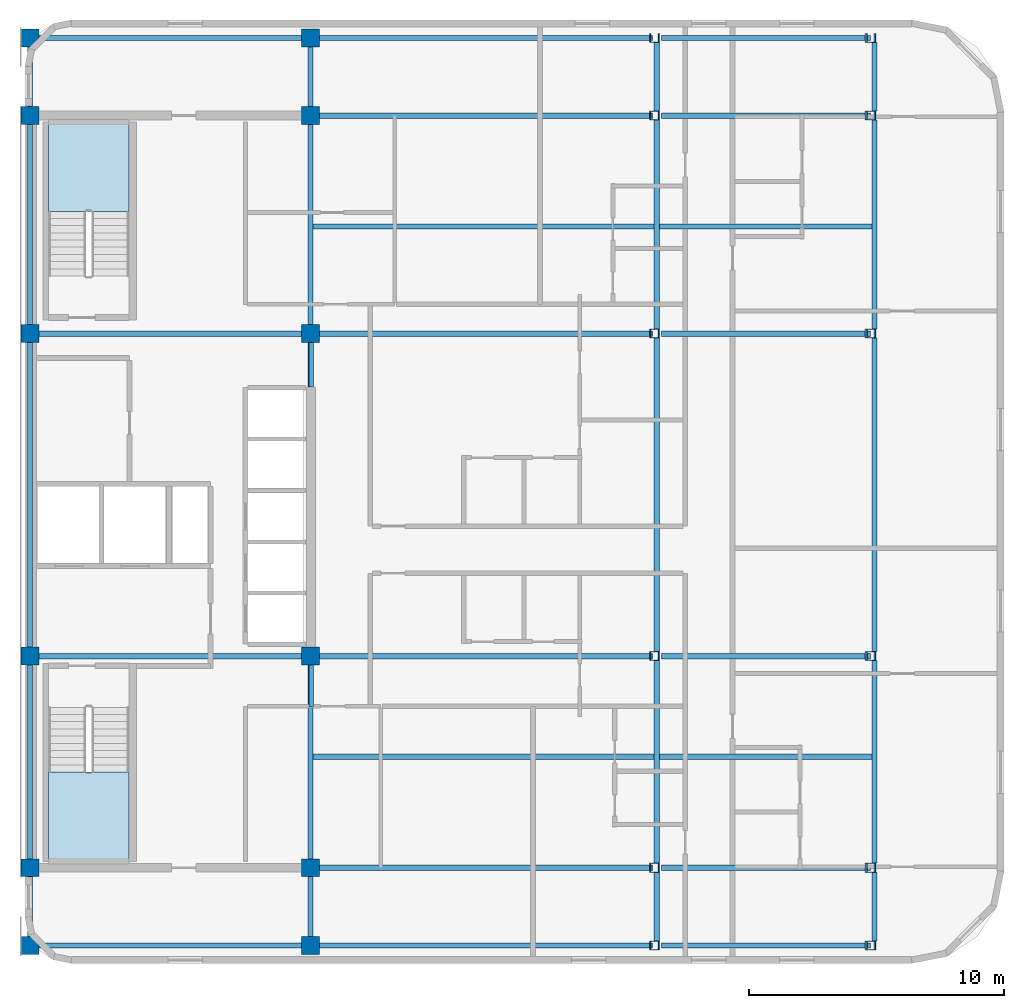
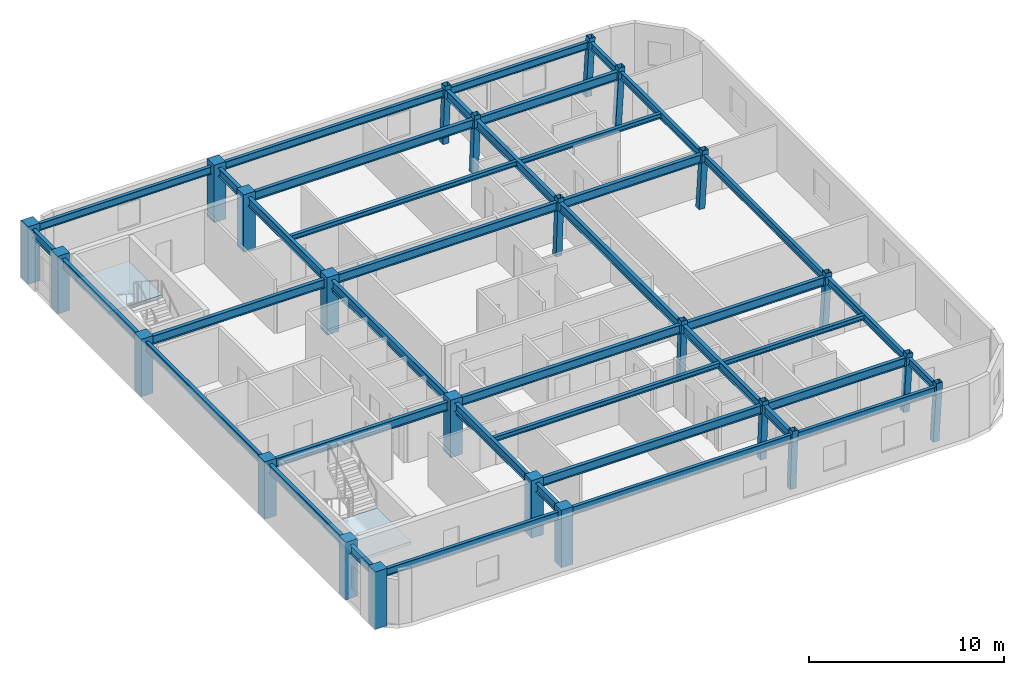
# One storey, part 1 of 6: 42 beams, 24 columns, 2 slabs, 2 elements without a shape of their own.
"""IFC4 building model written with IfcOpenShell, lengths in metres."""

from ifc_helpers import new_model, si_unit, direction, frame, origin, origin_2d, place, context, subcontext, project, spatial, polyline, rectangle, hollow_rectangle, i_section, outline, extrude, material, layer, layer_set, material_profile, profile_set, type_object, element, aggregate, save


model = new_model("IFC4")

# Units and contexts
model_context = context("Model", 3, precision=1e-05, world=origin(), true_north=direction((0.0, 1.0)))
body_context = subcontext(model_context, "Body", "Model", "MODEL_VIEW")
ifc_project = project(units=[si_unit("LENGTHUNIT", "METRE"), si_unit("AREAUNIT", "SQUARE_METRE"), si_unit("VOLUMEUNIT", "CUBIC_METRE"), si_unit("PLANEANGLEUNIT", "RADIAN"), si_unit("MASSUNIT", "GRAM", prefix="KILO")], contexts=[model_context])

# Site, building, storey
site_placement = place(None, origin())
site = spatial("IfcSite", under=ifc_project, at=site_placement, CompositionType="ELEMENT")
building_placement = place(site_placement, origin())
building = spatial("IfcBuilding", under=site, at=building_placement, Name="Ochreholt Gables", CompositionType="ELEMENT")
storey_placement = place(building_placement, frame((0.0, 0.0, 249.60009765625)))
storey = spatial("IfcBuildingStorey", under=building, at=storey_placement, Name="L65", CompositionType="ELEMENT", Elevation=249.60009765625)

# Columns
ifc_material_1 = material(Name="Steel CSA G40.21 350W", Category="steel")
ifc_material_profile_1 = material_profile(ifc_material_1, hollow_rectangle(XDim=0.35595703125, YDim=0.35595703125, WallThickness=0.01611328125, at=origin_2d()), Name="HSS356X356X16")
ifc_profile_set_1 = profile_set([ifc_material_profile_1], Name="Steel CSA G40.21 350W")
column_type_1 = type_object("IfcColumnType", Name="COL-HSS356-RAK", PredefinedType="COLUMN", material=ifc_profile_set_1)
for number, where, z_axis, x_axis, name in (
    (1, (48.672119140625, 9.25, 0.0), (0.034973505036, 0.0, 0.999388239847), (0.0, 1.0, 0.0), "L65 Column EMY2"),
    (2, (48.672119140625, 17.550048828125, 0.0), (0.034973505036, 0.0, 0.999388239847), (0.0, 1.0, 0.0), "L65 Column EMY3"),
    (3, (48.672119140625, 30.199951171875, 0.0), (0.034973505036, 0.0, 0.999388239847), (0.0, 1.0, 0.0), "L65 Column EMY4"),
    (4, (48.672119140625, 38.75, 0.0), (0.034973505036, 0.0, 0.999388239847), (0.0, 1.0, 0.0), "L65 Column EMY5"),
):
    element("IfcColumn", number, at=place(storey_placement, frame(where, z_axis=z_axis, x_axis=x_axis)), inside=storey, type_object=column_type_1, Name=name, PredefinedType="COLUMN", context=body_context, shape_type="SweptSolid", body=[
        extrude(hollow_rectangle(XDim=0.35595703125, YDim=0.35595703125, WallThickness=0.01611328125, at=origin_2d()), origin(), (0.0, 0.0, 1.0), 3.60205078125),
    ])
ifc_material_profile_2 = material_profile(ifc_material_1, hollow_rectangle(XDim=0.35595703125, YDim=0.35595703125, WallThickness=0.01611328125, at=origin_2d()), Name="HSS356X356X16")
ifc_profile_set_2 = profile_set([ifc_material_profile_2], Name="Steel CSA G40.21 350W")
column_type_2 = type_object("IfcColumnType", Name="COL-HSS356-RAKE", PredefinedType="COLUMN", material=ifc_profile_set_2)
for number, where, z_axis, x_axis, name in (
    (5, (48.672119140625, 6.199951171875, 0.0), (0.034973505036, 0.0, 0.999388239847), (0.0, 1.0, 0.0), "L65 Column EMY1"),
    (6, (48.672119140625, 41.800048828125, 0.0), (0.034973505036, 0.0, 0.999388239847), (0.0, 1.0, 0.0), "L65 Column EMY6"),
):
    element("IfcColumn", number, at=place(storey_placement, frame(where, z_axis=z_axis, x_axis=x_axis)), inside=storey, type_object=column_type_2, Name=name, PredefinedType="COLUMN", context=body_context, shape_type="SweptSolid", body=[
        extrude(hollow_rectangle(XDim=0.35595703125, YDim=0.35595703125, WallThickness=0.01611328125, at=origin_2d()), origin(), (0.0, 0.0, 1.0), 3.60205078125),
    ])
for number, where, z_axis, x_axis, name in (
    (7, (57.133544921875, 6.199951171875, 0.0), (0.057888518877, 0.0, 0.998323053617), (0.0, 1.0, 0.0), "L65 Column EEY1"),
    (8, (57.133544921875, 9.25, 0.0), (0.057888518877, 0.0, 0.998323053617), (0.0, 1.0, 0.0), "L65 Column EEY2"),
    (9, (57.133544921875, 17.550048828125, 0.0), (0.057888518877, 0.0, 0.998323053617), (0.0, 1.0, 0.0), "L65 Column EEY3"),
    (10, (57.133544921875, 30.199951171875, 0.0), (0.057888518877, 0.0, 0.998323053617), (0.0, 1.0, 0.0), "L65 Column EEY4"),
    (11, (57.133544921875, 38.75, 0.0), (0.057888518877, 0.0, 0.998323053617), (0.0, 1.0, 0.0), "L65 Column EEY5"),
    (12, (57.133544921875, 41.800048828125, 0.0), (0.057888518877, 0.0, 0.998323053617), (0.0, 1.0, 0.0), "L65 Column EEY6"),
):
    element("IfcColumn", number, at=place(storey_placement, frame(where, z_axis=z_axis, x_axis=x_axis)), inside=storey, type_object=column_type_2, Name=name, PredefinedType="COLUMN", context=body_context, shape_type="SweptSolid", body=[
        extrude(hollow_rectangle(XDim=0.35595703125, YDim=0.35595703125, WallThickness=0.01611328125, at=origin_2d()), origin(), (0.0, 0.0, 1.0), 3.60595703125),
    ])
ifc_material_2 = material(Name="Concrete 50 MPa", Category="concrete")
ifc_material_profile_3 = material_profile(ifc_material_2, rectangle(XDim=0.699951171875, YDim=0.699951171875, at=origin_2d()), Name="RC700X700")
ifc_profile_set_3 = profile_set([ifc_material_profile_3], Name="Concrete 50 MPa")
column_type_3 = type_object("IfcColumnType", Name="COL-RC700-EXT", PredefinedType="COLUMN", material=ifc_profile_set_3)
for number, where, z_axis, x_axis, name in (
    (13, (24.199951171875, 6.199951171875, 0.0), (0.0, 0.0, 1.0), (1.0, 0.0, 0.0), "L65 Column C1Y1"),
    (14, (24.199951171875, 9.25, 0.0), (0.0, 0.0, 1.0), (1.0, 0.0, 0.0), "L65 Column C1Y2"),
    (15, (24.199951171875, 17.550048828125, 0.0), (0.0, 0.0, 1.0), (1.0, 0.0, 0.0), "L65 Column C1Y3"),
    (16, (24.199951171875, 30.199951171875, 0.0), (0.0, 0.0, 1.0), (1.0, 0.0, 0.0), "L65 Column C1Y4"),
    (17, (24.199951171875, 38.75, 0.0), (0.0, 0.0, 1.0), (1.0, 0.0, 0.0), "L65 Column C1Y5"),
    (18, (24.199951171875, 41.800048828125, 0.0), (0.0, 0.0, 1.0), (1.0, 0.0, 0.0), "L65 Column C1Y6"),
    (19, (35.199951171875, 6.199951171875, 0.0), (0.0, 0.0, 1.0), (1.0, 0.0, 0.0), "L65 Column C2Y1"),
    (20, (35.199951171875, 41.800048828125, 0.0), (0.0, 0.0, 1.0), (1.0, 0.0, 0.0), "L65 Column C2Y6"),
):
    element("IfcColumn", number, at=place(storey_placement, frame(where, z_axis=z_axis, x_axis=x_axis)), inside=storey, type_object=column_type_3, Name=name, PredefinedType="COLUMN", context=body_context, shape_type="SweptSolid", body=[
        extrude(rectangle(XDim=0.699951171875, YDim=0.699951171875, at=origin_2d()), origin(), (0.0, 0.0, 1.0), 3.599853515625),
    ])
ifc_material_profile_4 = material_profile(ifc_material_2, rectangle(XDim=0.699951171875, YDim=0.699951171875, at=origin_2d()), Name="RC700X700")
ifc_profile_set_4 = profile_set([ifc_material_profile_4], Name="Concrete 50 MPa")
column_type_4 = type_object("IfcColumnType", Name="COL-RC700-INT", PredefinedType="COLUMN", material=ifc_profile_set_4)
for number, where, z_axis, x_axis, name in (
    (21, (35.199951171875, 9.25, 0.0), (0.0, 0.0, 1.0), (1.0, 0.0, 0.0), "L65 Column C2Y2"),
    (22, (35.199951171875, 17.550048828125, 0.0), (0.0, 0.0, 1.0), (1.0, 0.0, 0.0), "L65 Column C2Y3"),
    (23, (35.199951171875, 30.199951171875, 0.0), (0.0, 0.0, 1.0), (1.0, 0.0, 0.0), "L65 Column C2Y4"),
    (24, (35.199951171875, 38.75, 0.0), (0.0, 0.0, 1.0), (1.0, 0.0, 0.0), "L65 Column C2Y5"),
):
    element("IfcColumn", number, at=place(storey_placement, frame(where, z_axis=z_axis, x_axis=x_axis)), inside=storey, type_object=column_type_4, Name=name, PredefinedType="COLUMN", context=body_context, shape_type="SweptSolid", body=[
        extrude(rectangle(XDim=0.699951171875, YDim=0.699951171875, at=origin_2d()), origin(), (0.0, 0.0, 1.0), 3.599853515625),
    ])

# Beams
ifc_material_profile_5 = material_profile(ifc_material_1, i_section(OverallWidth=0.2109375, OverallDepth=0.5390625, WebThickness=0.01171875, FlangeThickness=0.018798828125, at=origin_2d()), Name="W530X109")
ifc_profile_set_5 = profile_set([ifc_material_profile_5], Name="Steel CSA G40.21 350W")
beam_type_1 = type_object("IfcBeamType", Name="BM-G-W530A", PredefinedType="BEAM", material=ifc_profile_set_5)
beam_1_placement = place(storey_placement, frame((35.549560546875, 9.25, 3.09033203125), z_axis=(1.0, 0.0, 0.0), x_axis=(0.0, 1.0, 0.0)))
element("IfcBeam", 25, at=beam_1_placement, inside=storey, type_object=beam_type_1, Name="L65 Beam TBG-L65-C2EM-Y2", PredefinedType="BEAM", context=body_context, shape_type="SweptSolid", body=[
    extrude(i_section(OverallWidth=0.2109375, OverallDepth=0.5390625, WebThickness=0.01171875, FlangeThickness=0.018798828125, at=origin_2d()), origin(), (0.0, 0.0, 1.0), 13.07080078125),
])
beam_2_placement = place(storey_placement, frame((48.9755859375, 9.25, 3.09033203125), z_axis=(1.0, 0.0, 0.0), x_axis=(0.0, 1.0, 0.0)))
element("IfcBeam", 26, at=beam_2_placement, inside=storey, type_object=beam_type_1, Name="L65 Beam TBG-L65-EMEE-Y2", PredefinedType="BEAM", context=body_context, shape_type="SweptSolid", body=[
    extrude(i_section(OverallWidth=0.2109375, OverallDepth=0.5390625, WebThickness=0.01171875, FlangeThickness=0.018798828125, at=origin_2d()), origin(), (0.0, 0.0, 1.0), 8.189208984375),
])
beam_3_placement = place(storey_placement, frame((24.549560546875, 17.550048828125, 3.09033203125), z_axis=(1.0, 0.0, 0.0), x_axis=(0.0, 1.0, 0.0)))
element("IfcBeam", 27, at=beam_3_placement, inside=storey, type_object=beam_type_1, Name="L65 Beam TBG-L65-C1C2-Y3", PredefinedType="BEAM", context=body_context, shape_type="SweptSolid", body=[
    extrude(i_section(OverallWidth=0.2109375, OverallDepth=0.5390625, WebThickness=0.01171875, FlangeThickness=0.018798828125, at=origin_2d()), origin(), (0.0, 0.0, 1.0), 10.30078125),
])
beam_4_placement = place(storey_placement, frame((35.549560546875, 17.550048828125, 3.09033203125), z_axis=(1.0, 0.0, 0.0), x_axis=(0.0, 1.0, 0.0)))
element("IfcBeam", 28, at=beam_4_placement, inside=storey, type_object=beam_type_1, Name="L65 Beam TBG-L65-C2EM-Y3", PredefinedType="BEAM", context=body_context, shape_type="SweptSolid", body=[
    extrude(i_section(OverallWidth=0.2109375, OverallDepth=0.5390625, WebThickness=0.01171875, FlangeThickness=0.018798828125, at=origin_2d()), origin(), (0.0, 0.0, 1.0), 13.07080078125),
])
beam_5_placement = place(storey_placement, frame((48.9755859375, 17.550048828125, 3.09033203125), z_axis=(1.0, 0.0, 0.0), x_axis=(0.0, 1.0, 0.0)))
element("IfcBeam", 29, at=beam_5_placement, inside=storey, type_object=beam_type_1, Name="L65 Beam TBG-L65-EMEE-Y3", PredefinedType="BEAM", context=body_context, shape_type="SweptSolid", body=[
    extrude(i_section(OverallWidth=0.2109375, OverallDepth=0.5390625, WebThickness=0.01171875, FlangeThickness=0.018798828125, at=origin_2d()), origin(), (0.0, 0.0, 1.0), 8.189208984375),
])
beam_6_placement = place(storey_placement, frame((24.549560546875, 30.199951171875, 3.09033203125), z_axis=(1.0, 0.0, 0.0), x_axis=(0.0, 1.0, 0.0)))
element("IfcBeam", 30, at=beam_6_placement, inside=storey, type_object=beam_type_1, Name="L65 Beam TBG-L65-C1C2-Y4", PredefinedType="BEAM", context=body_context, shape_type="SweptSolid", body=[
    extrude(i_section(OverallWidth=0.2109375, OverallDepth=0.5390625, WebThickness=0.01171875, FlangeThickness=0.018798828125, at=origin_2d()), origin(), (0.0, 0.0, 1.0), 10.30078125),
])
beam_7_placement = place(storey_placement, frame((35.549560546875, 30.199951171875, 3.09033203125), z_axis=(1.0, 0.0, 0.0), x_axis=(0.0, 1.0, 0.0)))
element("IfcBeam", 31, at=beam_7_placement, inside=storey, type_object=beam_type_1, Name="L65 Beam TBG-L65-C2EM-Y4", PredefinedType="BEAM", context=body_context, shape_type="SweptSolid", body=[
    extrude(i_section(OverallWidth=0.2109375, OverallDepth=0.5390625, WebThickness=0.01171875, FlangeThickness=0.018798828125, at=origin_2d()), origin(), (0.0, 0.0, 1.0), 13.07080078125),
])
beam_8_placement = place(storey_placement, frame((48.9755859375, 30.199951171875, 3.09033203125), z_axis=(1.0, 0.0, 0.0), x_axis=(0.0, 1.0, 0.0)))
element("IfcBeam", 32, at=beam_8_placement, inside=storey, type_object=beam_type_1, Name="L65 Beam TBG-L65-EMEE-Y4", PredefinedType="BEAM", context=body_context, shape_type="SweptSolid", body=[
    extrude(i_section(OverallWidth=0.2109375, OverallDepth=0.5390625, WebThickness=0.01171875, FlangeThickness=0.018798828125, at=origin_2d()), origin(), (0.0, 0.0, 1.0), 8.189208984375),
])
beam_9_placement = place(storey_placement, frame((35.549560546875, 38.75, 3.09033203125), z_axis=(1.0, 0.0, 0.0), x_axis=(0.0, 1.0, 0.0)))
element("IfcBeam", 33, at=beam_9_placement, inside=storey, type_object=beam_type_1, Name="L65 Beam TBG-L65-C2EM-Y5", PredefinedType="BEAM", context=body_context, shape_type="SweptSolid", body=[
    extrude(i_section(OverallWidth=0.2109375, OverallDepth=0.5390625, WebThickness=0.01171875, FlangeThickness=0.018798828125, at=origin_2d()), origin(), (0.0, 0.0, 1.0), 13.07080078125),
])
beam_10_placement = place(storey_placement, frame((48.9755859375, 38.75, 3.09033203125), z_axis=(1.0, 0.0, 0.0), x_axis=(0.0, 1.0, 0.0)))
element("IfcBeam", 34, at=beam_10_placement, inside=storey, type_object=beam_type_1, Name="L65 Beam TBG-L65-EMEE-Y5", PredefinedType="BEAM", context=body_context, shape_type="SweptSolid", body=[
    extrude(i_section(OverallWidth=0.2109375, OverallDepth=0.5390625, WebThickness=0.01171875, FlangeThickness=0.018798828125, at=origin_2d()), origin(), (0.0, 0.0, 1.0), 8.189208984375),
])
beam_11_placement = place(storey_placement, frame((24.199951171875, 6.549560546875, 3.09033203125), z_axis=(0.0, 1.0, 0.0), x_axis=(-1.0, 0.0, 0.0)))
element("IfcBeam", 35, at=beam_11_placement, inside=storey, type_object=beam_type_1, Name="L65 Beam TBN-L65-C1-Y1Y2", PredefinedType="BEAM", context=body_context, shape_type="SweptSolid", body=[
    extrude(i_section(OverallWidth=0.2109375, OverallDepth=0.5390625, WebThickness=0.01171875, FlangeThickness=0.018798828125, at=origin_2d()), origin(), (0.0, 0.0, 1.0), 2.350830078125),
])
beam_12_placement = place(storey_placement, frame((24.199951171875, 9.599609375, 3.09033203125), z_axis=(0.0, 1.0, 0.0), x_axis=(-1.0, 0.0, 0.0)))
element("IfcBeam", 36, at=beam_12_placement, inside=storey, type_object=beam_type_1, Name="L65 Beam TBN-L65-C1-Y2Y3", PredefinedType="BEAM", context=body_context, shape_type="SweptSolid", body=[
    extrude(i_section(OverallWidth=0.2109375, OverallDepth=0.5390625, WebThickness=0.01171875, FlangeThickness=0.018798828125, at=origin_2d()), origin(), (0.0, 0.0, 1.0), 7.600830078125),
])
beam_13_placement = place(storey_placement, frame((24.199951171875, 17.899658203125, 3.09033203125), z_axis=(0.0, 1.0, 0.0), x_axis=(-1.0, 0.0, 0.0)))
element("IfcBeam", 37, at=beam_13_placement, inside=storey, type_object=beam_type_1, Name="L65 Beam TBN-L65-C1-Y3Y4", PredefinedType="BEAM", context=body_context, shape_type="SweptSolid", body=[
    extrude(i_section(OverallWidth=0.2109375, OverallDepth=0.5390625, WebThickness=0.01171875, FlangeThickness=0.018798828125, at=origin_2d()), origin(), (0.0, 0.0, 1.0), 11.95068359375),
])
beam_14_placement = place(storey_placement, frame((24.199951171875, 30.549560546875, 3.09033203125), z_axis=(0.0, 1.0, 0.0), x_axis=(-1.0, 0.0, 0.0)))
element("IfcBeam", 38, at=beam_14_placement, inside=storey, type_object=beam_type_1, Name="L65 Beam TBN-L65-C1-Y4Y5", PredefinedType="BEAM", context=body_context, shape_type="SweptSolid", body=[
    extrude(i_section(OverallWidth=0.2109375, OverallDepth=0.5390625, WebThickness=0.01171875, FlangeThickness=0.018798828125, at=origin_2d()), origin(), (0.0, 0.0, 1.0), 7.850830078125),
])
for number, where, z_axis, x_axis, name in (
    (39, (24.199951171875, 39.099609375, 3.09033203125), (0.0, 1.0, 0.0), (-1.0, 0.0, 0.0), "L65 Beam TBN-L65-C1-Y5Y6"),
    (40, (35.199951171875, 6.549560546875, 3.09033203125), (0.0, 1.0, 0.0), (-1.0, 0.0, 0.0), "L65 Beam TBN-L65-C2-Y1Y2"),
):
    element("IfcBeam", number, at=place(storey_placement, frame(where, z_axis=z_axis, x_axis=x_axis)), inside=storey, type_object=beam_type_1, Name=name, PredefinedType="BEAM", context=body_context, shape_type="SweptSolid", body=[
        extrude(i_section(OverallWidth=0.2109375, OverallDepth=0.5390625, WebThickness=0.01171875, FlangeThickness=0.018798828125, at=origin_2d()), origin(), (0.0, 0.0, 1.0), 2.350830078125),
    ])
beam_15_placement = place(storey_placement, frame((35.199951171875, 9.599609375, 3.09033203125), z_axis=(0.0, 1.0, 0.0), x_axis=(-1.0, 0.0, 0.0)))
element("IfcBeam", 41, at=beam_15_placement, inside=storey, type_object=beam_type_1, Name="L65 Beam TBN-L65-C2-Y2Y3", PredefinedType="BEAM", context=body_context, shape_type="SweptSolid", body=[
    extrude(i_section(OverallWidth=0.2109375, OverallDepth=0.5390625, WebThickness=0.01171875, FlangeThickness=0.018798828125, at=origin_2d()), origin(), (0.0, 0.0, 1.0), 7.600830078125),
])
beam_16_placement = place(storey_placement, frame((35.199951171875, 17.899658203125, 3.09033203125), z_axis=(0.0, 1.0, 0.0), x_axis=(-1.0, 0.0, 0.0)))
element("IfcBeam", 42, at=beam_16_placement, inside=storey, type_object=beam_type_1, Name="L65 Beam TBN-L65-C2-Y3Y4", PredefinedType="BEAM", context=body_context, shape_type="SweptSolid", body=[
    extrude(i_section(OverallWidth=0.2109375, OverallDepth=0.5390625, WebThickness=0.01171875, FlangeThickness=0.018798828125, at=origin_2d()), origin(), (0.0, 0.0, 1.0), 11.95068359375),
])
beam_17_placement = place(storey_placement, frame((35.199951171875, 30.549560546875, 3.09033203125), z_axis=(0.0, 1.0, 0.0), x_axis=(-1.0, 0.0, 0.0)))
element("IfcBeam", 43, at=beam_17_placement, inside=storey, type_object=beam_type_1, Name="L65 Beam TBN-L65-C2-Y4Y5", PredefinedType="BEAM", context=body_context, shape_type="SweptSolid", body=[
    extrude(i_section(OverallWidth=0.2109375, OverallDepth=0.5390625, WebThickness=0.01171875, FlangeThickness=0.018798828125, at=origin_2d()), origin(), (0.0, 0.0, 1.0), 7.850830078125),
])
beam_18_placement = place(storey_placement, frame((35.199951171875, 39.099609375, 3.09033203125), z_axis=(0.0, 1.0, 0.0), x_axis=(-1.0, 0.0, 0.0)))
element("IfcBeam", 44, at=beam_18_placement, inside=storey, type_object=beam_type_1, Name="L65 Beam TBN-L65-C2-Y5Y6", PredefinedType="BEAM", context=body_context, shape_type="SweptSolid", body=[
    extrude(i_section(OverallWidth=0.2109375, OverallDepth=0.5390625, WebThickness=0.01171875, FlangeThickness=0.018798828125, at=origin_2d()), origin(), (0.0, 0.0, 1.0), 2.350830078125),
])
beam_19_placement = place(storey_placement, frame((48.781005859375, 6.377685546875, 3.09033203125), z_axis=(0.0, 1.0, 0.0), x_axis=(-1.0, 0.0, 0.0)))
element("IfcBeam", 45, at=beam_19_placement, inside=storey, type_object=beam_type_1, Name="L65 Beam TBN-L65-EM-Y1Y2", PredefinedType="BEAM", context=body_context, shape_type="SweptSolid", body=[
    extrude(i_section(OverallWidth=0.2109375, OverallDepth=0.5390625, WebThickness=0.01171875, FlangeThickness=0.018798828125, at=origin_2d()), origin(), (0.0, 0.0, 1.0), 2.69482421875),
])
beam_20_placement = place(storey_placement, frame((48.781005859375, 9.427490234375, 3.09033203125), z_axis=(0.0, 1.0, 0.0), x_axis=(-1.0, 0.0, 0.0)))
element("IfcBeam", 46, at=beam_20_placement, inside=storey, type_object=beam_type_1, Name="L65 Beam TBN-L65-EM-Y2Y3", PredefinedType="BEAM", context=body_context, shape_type="SweptSolid", body=[
    extrude(i_section(OverallWidth=0.2109375, OverallDepth=0.5390625, WebThickness=0.01171875, FlangeThickness=0.018798828125, at=origin_2d()), origin(), (0.0, 0.0, 1.0), 7.94482421875),
])
beam_21_placement = place(storey_placement, frame((48.781005859375, 17.7275390625, 3.09033203125), z_axis=(0.0, 1.0, 0.0), x_axis=(-1.0, 0.0, 0.0)))
element("IfcBeam", 47, at=beam_21_placement, inside=storey, type_object=beam_type_1, Name="L65 Beam TBN-L65-EM-Y3Y4", PredefinedType="BEAM", context=body_context, shape_type="SweptSolid", body=[
    extrude(i_section(OverallWidth=0.2109375, OverallDepth=0.5390625, WebThickness=0.01171875, FlangeThickness=0.018798828125, at=origin_2d()), origin(), (0.0, 0.0, 1.0), 12.294921875),
])
beam_22_placement = place(storey_placement, frame((48.781005859375, 30.377685546875, 3.09033203125), z_axis=(0.0, 1.0, 0.0), x_axis=(-1.0, 0.0, 0.0)))
element("IfcBeam", 48, at=beam_22_placement, inside=storey, type_object=beam_type_1, Name="L65 Beam TBN-L65-EM-Y4Y5", PredefinedType="BEAM", context=body_context, shape_type="SweptSolid", body=[
    extrude(i_section(OverallWidth=0.2109375, OverallDepth=0.5390625, WebThickness=0.01171875, FlangeThickness=0.018798828125, at=origin_2d()), origin(), (0.0, 0.0, 1.0), 8.19482421875),
])
beam_23_placement = place(storey_placement, frame((48.781005859375, 38.927490234375, 3.09033203125), z_axis=(0.0, 1.0, 0.0), x_axis=(-1.0, 0.0, 0.0)))
element("IfcBeam", 49, at=beam_23_placement, inside=storey, type_object=beam_type_1, Name="L65 Beam TBN-L65-EM-Y5Y6", PredefinedType="BEAM", context=body_context, shape_type="SweptSolid", body=[
    extrude(i_section(OverallWidth=0.2109375, OverallDepth=0.5390625, WebThickness=0.01171875, FlangeThickness=0.018798828125, at=origin_2d()), origin(), (0.0, 0.0, 1.0), 2.69482421875),
])
ifc_material_profile_6 = material_profile(ifc_material_1, i_section(OverallWidth=0.202880859375, OverallDepth=0.302978515625, WebThickness=0.007568359375, FlangeThickness=0.01318359375, at=origin_2d()), Name="W310X60")
ifc_profile_set_6 = profile_set([ifc_material_profile_6], Name="Steel CSA G40.21 350W")
beam_type_2 = type_object("IfcBeamType", Name="BM-J-W310", PredefinedType="JOIST", material=ifc_profile_set_6)
beam_24_placement = place(storey_placement, frame((35.30517578125, 13.60009765625, 3.20849609375), z_axis=(1.0, 0.0, 0.0), x_axis=(0.0, 1.0, 0.0)))
element("IfcBeam", 50, at=beam_24_placement, inside=storey, type_object=beam_type_2, Name="L65 Beam TBJ-L65-J1-C2EM", PredefinedType="JOIST", context=body_context, shape_type="SweptSolid", body=[
    extrude(i_section(OverallWidth=0.202880859375, OverallDepth=0.302978515625, WebThickness=0.007568359375, FlangeThickness=0.01318359375, at=origin_2d()), origin(), (0.0, 0.0, 1.0), 13.37060546875),
])
beam_25_placement = place(storey_placement, frame((48.885986328125, 13.60009765625, 3.20849609375), z_axis=(1.0, 0.0, 0.0), x_axis=(0.0, 1.0, 0.0)))
element("IfcBeam", 51, at=beam_25_placement, inside=storey, type_object=beam_type_2, Name="L65 Beam TBJ-L65-J1-EMEE", PredefinedType="JOIST", context=body_context, shape_type="SweptSolid", body=[
    extrude(i_section(OverallWidth=0.202880859375, OverallDepth=0.302978515625, WebThickness=0.007568359375, FlangeThickness=0.01318359375, at=origin_2d()), origin(), (0.0, 0.0, 1.0), 8.33251953125),
])
beam_26_placement = place(storey_placement, frame((35.30517578125, 34.39990234375, 3.20849609375), z_axis=(1.0, 0.0, 0.0), x_axis=(0.0, 1.0, 0.0)))
element("IfcBeam", 52, at=beam_26_placement, inside=storey, type_object=beam_type_2, Name="L65 Beam TBJ-L65-J2-C2EM", PredefinedType="JOIST", context=body_context, shape_type="SweptSolid", body=[
    extrude(i_section(OverallWidth=0.202880859375, OverallDepth=0.302978515625, WebThickness=0.007568359375, FlangeThickness=0.01318359375, at=origin_2d()), origin(), (0.0, 0.0, 1.0), 13.37060546875),
])
beam_27_placement = place(storey_placement, frame((48.885986328125, 34.39990234375, 3.20849609375), z_axis=(1.0, 0.0, 0.0), x_axis=(0.0, 1.0, 0.0)))
element("IfcBeam", 53, at=beam_27_placement, inside=storey, type_object=beam_type_2, Name="L65 Beam TBJ-L65-J2-EMEE", PredefinedType="JOIST", context=body_context, shape_type="SweptSolid", body=[
    extrude(i_section(OverallWidth=0.202880859375, OverallDepth=0.302978515625, WebThickness=0.007568359375, FlangeThickness=0.01318359375, at=origin_2d()), origin(), (0.0, 0.0, 1.0), 8.33251953125),
])
ifc_material_profile_7 = material_profile(ifc_material_1, i_section(OverallWidth=0.1650390625, OverallDepth=0.200927734375, WebThickness=0.006103515625, FlangeThickness=0.01025390625, at=origin_2d()), Name="W200X36")
ifc_profile_set_7 = profile_set([ifc_material_profile_7], Name="Steel CSA G40.21 350W")
beam_type_3 = type_object("IfcBeamType", Name="BM-LIN-W200", PredefinedType="LINTEL", material=ifc_profile_set_7)
beam_28_placement = place(storey_placement, frame((35.22509765625, 15.550048828125, 2.720458984375), z_axis=(0.0, 1.0, 0.0), x_axis=(-1.0, 0.0, 0.0)))
element("IfcBeam", 54, at=beam_28_placement, inside=storey, type_object=beam_type_3, Name="L65 Core Coupling Lintel CPS", PredefinedType="LINTEL", context=body_context, shape_type="SweptSolid", body=[
    extrude(i_section(OverallWidth=0.1650390625, OverallDepth=0.200927734375, WebThickness=0.006103515625, FlangeThickness=0.01025390625, at=origin_2d()), origin(), (0.0, 0.0, 1.0), 1.64990234375),
])
beam_29_placement = place(storey_placement, frame((35.22509765625, 28.10009765625, 2.720458984375), z_axis=(0.0, 1.0, 0.0), x_axis=(-1.0, 0.0, 0.0)))
element("IfcBeam", 55, at=beam_29_placement, inside=storey, type_object=beam_type_3, Name="L65 Core Coupling Lintel CPN", PredefinedType="LINTEL", context=body_context, shape_type="SweptSolid", body=[
    extrude(i_section(OverallWidth=0.1650390625, OverallDepth=0.200927734375, WebThickness=0.006103515625, FlangeThickness=0.01025390625, at=origin_2d()), origin(), (0.0, 0.0, 1.0), 1.75),
])
ifc_material_profile_8 = material_profile(ifc_material_1, i_section(OverallWidth=0.19189453125, OverallDepth=0.462890625, WebThickness=0.010498046875, FlangeThickness=0.017578125, at=origin_2d()), Name="W460X89")
ifc_profile_set_8 = profile_set([ifc_material_profile_8], Name="Steel CSA G40.21 350W")
beam_type_4 = type_object("IfcBeamType", Name="BM-SP-W460A", PredefinedType="SPANDREL", material=ifc_profile_set_8)
beam_30_placement = place(storey_placement, frame((24.549560546875, 6.199951171875, 3.12841796875), z_axis=(1.0, 0.0, 0.0), x_axis=(0.0, 1.0, 0.0)))
element("IfcBeam", 56, at=beam_30_placement, inside=storey, type_object=beam_type_4, Name="L65 Beam TBG-L65-C1C2-Y1", PredefinedType="SPANDREL", context=body_context, shape_type="SweptSolid", body=[
    extrude(i_section(OverallWidth=0.19189453125, OverallDepth=0.462890625, WebThickness=0.010498046875, FlangeThickness=0.017578125, at=origin_2d()), origin(), (0.0, 0.0, 1.0), 10.30078125),
])
beam_31_placement = place(storey_placement, frame((35.549560546875, 6.199951171875, 3.12841796875), z_axis=(1.0, 0.0, 0.0), x_axis=(0.0, 1.0, 0.0)))
element("IfcBeam", 57, at=beam_31_placement, inside=storey, type_object=beam_type_4, Name="L65 Beam TBG-L65-C2EM-Y1", PredefinedType="SPANDREL", context=body_context, shape_type="SweptSolid", body=[
    extrude(i_section(OverallWidth=0.19189453125, OverallDepth=0.462890625, WebThickness=0.010498046875, FlangeThickness=0.017578125, at=origin_2d()), origin(), (0.0, 0.0, 1.0), 13.07080078125),
])
beam_32_placement = place(storey_placement, frame((48.9755859375, 6.199951171875, 3.12841796875), z_axis=(1.0, 0.0, 0.0), x_axis=(0.0, 1.0, 0.0)))
element("IfcBeam", 58, at=beam_32_placement, inside=storey, type_object=beam_type_4, Name="L65 Beam TBG-L65-EMEE-Y1", PredefinedType="SPANDREL", context=body_context, shape_type="SweptSolid", body=[
    extrude(i_section(OverallWidth=0.19189453125, OverallDepth=0.462890625, WebThickness=0.010498046875, FlangeThickness=0.017578125, at=origin_2d()), origin(), (0.0, 0.0, 1.0), 8.189208984375),
])
beam_33_placement = place(storey_placement, frame((24.549560546875, 41.800048828125, 3.12841796875), z_axis=(1.0, 0.0, 0.0), x_axis=(0.0, 1.0, 0.0)))
element("IfcBeam", 59, at=beam_33_placement, inside=storey, type_object=beam_type_4, Name="L65 Beam TBG-L65-C1C2-Y6", PredefinedType="SPANDREL", context=body_context, shape_type="SweptSolid", body=[
    extrude(i_section(OverallWidth=0.19189453125, OverallDepth=0.462890625, WebThickness=0.010498046875, FlangeThickness=0.017578125, at=origin_2d()), origin(), (0.0, 0.0, 1.0), 10.30078125),
])
beam_34_placement = place(storey_placement, frame((35.549560546875, 41.800048828125, 3.12841796875), z_axis=(1.0, 0.0, 0.0), x_axis=(0.0, 1.0, 0.0)))
element("IfcBeam", 60, at=beam_34_placement, inside=storey, type_object=beam_type_4, Name="L65 Beam TBG-L65-C2EM-Y6", PredefinedType="SPANDREL", context=body_context, shape_type="SweptSolid", body=[
    extrude(i_section(OverallWidth=0.19189453125, OverallDepth=0.462890625, WebThickness=0.010498046875, FlangeThickness=0.017578125, at=origin_2d()), origin(), (0.0, 0.0, 1.0), 13.07080078125),
])
beam_35_placement = place(storey_placement, frame((48.9755859375, 41.800048828125, 3.12841796875), z_axis=(1.0, 0.0, 0.0), x_axis=(0.0, 1.0, 0.0)))
element("IfcBeam", 61, at=beam_35_placement, inside=storey, type_object=beam_type_4, Name="L65 Beam TBG-L65-EMEE-Y6", PredefinedType="SPANDREL", context=body_context, shape_type="SweptSolid", body=[
    extrude(i_section(OverallWidth=0.19189453125, OverallDepth=0.462890625, WebThickness=0.010498046875, FlangeThickness=0.017578125, at=origin_2d()), origin(), (0.0, 0.0, 1.0), 8.189208984375),
])
beam_36_placement = place(storey_placement, frame((57.31396484375, 6.377685546875, 3.12841796875), z_axis=(0.0, 1.0, 0.0), x_axis=(-1.0, 0.0, 0.0)))
element("IfcBeam", 62, at=beam_36_placement, inside=storey, type_object=beam_type_4, Name="L65 Beam TBN-L65-EE-Y1Y2", PredefinedType="SPANDREL", context=body_context, shape_type="SweptSolid", body=[
    extrude(i_section(OverallWidth=0.19189453125, OverallDepth=0.462890625, WebThickness=0.010498046875, FlangeThickness=0.017578125, at=origin_2d()), origin(), (0.0, 0.0, 1.0), 2.69482421875),
])
beam_37_placement = place(storey_placement, frame((57.31396484375, 9.427490234375, 3.12841796875), z_axis=(0.0, 1.0, 0.0), x_axis=(-1.0, 0.0, 0.0)))
element("IfcBeam", 63, at=beam_37_placement, inside=storey, type_object=beam_type_4, Name="L65 Beam TBN-L65-EE-Y2Y3", PredefinedType="SPANDREL", context=body_context, shape_type="SweptSolid", body=[
    extrude(i_section(OverallWidth=0.19189453125, OverallDepth=0.462890625, WebThickness=0.010498046875, FlangeThickness=0.017578125, at=origin_2d()), origin(), (0.0, 0.0, 1.0), 7.94482421875),
])
beam_38_placement = place(storey_placement, frame((57.31396484375, 17.7275390625, 3.12841796875), z_axis=(0.0, 1.0, 0.0), x_axis=(-1.0, 0.0, 0.0)))
element("IfcBeam", 64, at=beam_38_placement, inside=storey, type_object=beam_type_4, Name="L65 Beam TBN-L65-EE-Y3Y4", PredefinedType="SPANDREL", context=body_context, shape_type="SweptSolid", body=[
    extrude(i_section(OverallWidth=0.19189453125, OverallDepth=0.462890625, WebThickness=0.010498046875, FlangeThickness=0.017578125, at=origin_2d()), origin(), (0.0, 0.0, 1.0), 12.294921875),
])
beam_39_placement = place(storey_placement, frame((57.31396484375, 30.377685546875, 3.12841796875), z_axis=(0.0, 1.0, 0.0), x_axis=(-1.0, 0.0, 0.0)))
element("IfcBeam", 65, at=beam_39_placement, inside=storey, type_object=beam_type_4, Name="L65 Beam TBN-L65-EE-Y4Y5", PredefinedType="SPANDREL", context=body_context, shape_type="SweptSolid", body=[
    extrude(i_section(OverallWidth=0.19189453125, OverallDepth=0.462890625, WebThickness=0.010498046875, FlangeThickness=0.017578125, at=origin_2d()), origin(), (0.0, 0.0, 1.0), 8.19482421875),
])
beam_40_placement = place(storey_placement, frame((57.31396484375, 38.927490234375, 3.12841796875), z_axis=(0.0, 1.0, 0.0), x_axis=(-1.0, 0.0, 0.0)))
element("IfcBeam", 66, at=beam_40_placement, inside=storey, type_object=beam_type_4, Name="L65 Beam TBN-L65-EE-Y5Y6", PredefinedType="SPANDREL", context=body_context, shape_type="SweptSolid", body=[
    extrude(i_section(OverallWidth=0.19189453125, OverallDepth=0.462890625, WebThickness=0.010498046875, FlangeThickness=0.017578125, at=origin_2d()), origin(), (0.0, 0.0, 1.0), 2.69482421875),
])

# Stair, slab
ifc_material_3 = material(Name="Concrete 40 MPa", Category="concrete")
stair_type_1 = type_object("IfcStairType", Name="STAIR-CORE-ST-1", PredefinedType="HALF_TURN_STAIR", material=ifc_material_3)
stair_1_placement = place(storey_placement, origin())
stair_1 = element("IfcStair", 67, at=stair_1_placement, inside=storey, type_object=stair_type_1, Name="L65 Core Exit Stair 1", PredefinedType="HALF_TURN_STAIR")
ifc_layer = layer(ifc_material_3, 0.199951171875, Name="Concrete 40 MPa")
ifc_layer_set = layer_set([ifc_layer], Name="Concrete 40 MPa")
slab_type = type_object("IfcSlabType", Name="LANDING-RC200", PredefinedType="LANDING", material=ifc_layer_set)
slab_1_placement = place(storey_placement, frame((0.0, 0.0, 1.599853515625)))
slab_1 = element("IfcSlab", 68, at=slab_1_placement, type_object=slab_type, Name="ST-1 landing 1", PredefinedType="LANDING", context=body_context, shape_type="SweptSolid", body=[
    extrude(outline(polyline([(24.919921875, 13.001953125), (24.919921875, 9.52001953125), (28.080078125, 9.52001953125), (28.080078125, 13.001953125), (24.919921875, 13.001953125)])), origin(), (0.0, 0.0, 1.0), 0.199951171875),
])
aggregate(stair_1, [slab_1])

stair_type_2 = type_object("IfcStairType", Name="STAIR-CORE-ST-2", PredefinedType="HALF_TURN_STAIR", material=ifc_material_3)
stair_2_placement = place(storey_placement, origin())
stair_2 = element("IfcStair", 69, at=stair_2_placement, inside=storey, type_object=stair_type_2, Name="L65 Core Exit Stair 2", PredefinedType="HALF_TURN_STAIR")
slab_2_placement = place(storey_placement, frame((0.0, 0.0, 1.599853515625)))
slab_2 = element("IfcSlab", 70, at=slab_2_placement, type_object=slab_type, Name="ST-2 landing 1", PredefinedType="LANDING", context=body_context, shape_type="SweptSolid", body=[
    extrude(outline(polyline([(28.080078125, 34.998046875), (28.080078125, 38.47998046875), (24.919921875, 38.47998046875), (24.919921875, 34.998046875), (28.080078125, 34.998046875)])), origin(), (0.0, 0.0, 1.0), 0.199951171875),
])
aggregate(stair_2, [slab_2])

save(model, "model.ifc")
